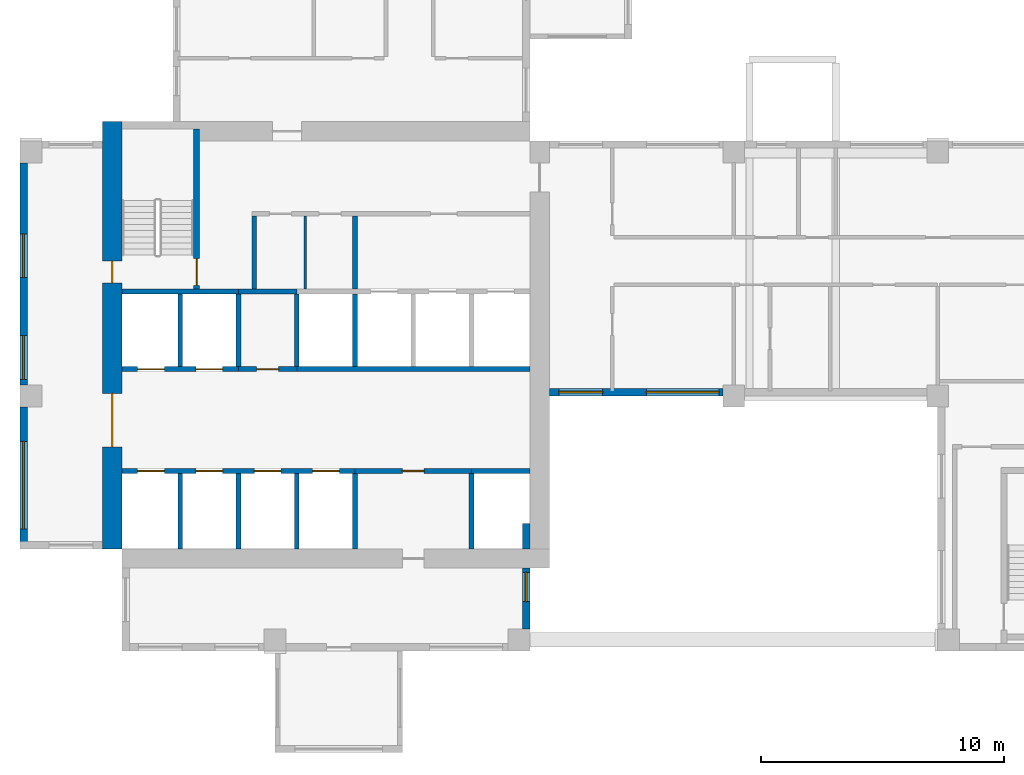
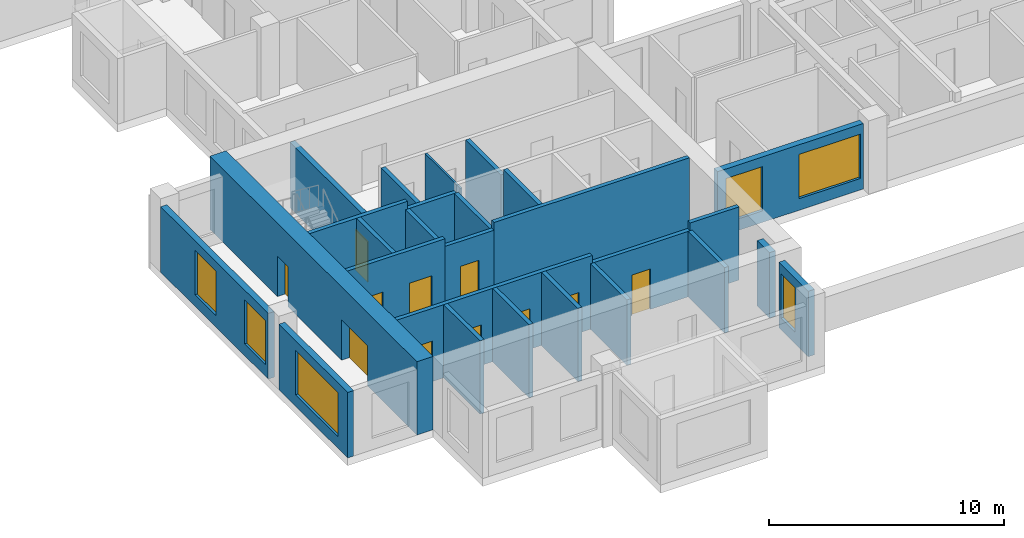
# One storey, part 2 of 11: 27 walls, 11 doors, 6 windows, 17 openings.
"""IFC4 building model written with IfcOpenShell, lengths in metres."""

from ifc_helpers import new_model, si_unit, direction, frame, frame_2d, origin, place, context, subcontext, project, spatial, rectangle, extrude, source, transform, mapped, material, layer, layer_set, type_object, element, fill, save


model = new_model("IFC4")

# Units and contexts
model_context = context("Model", 3, precision=1e-05, world=origin(), true_north=direction((0.0, 1.0)))
body_context = subcontext(model_context, "Body", "Model", "MODEL_VIEW")
ifc_project = project(units=[si_unit("LENGTHUNIT", "METRE"), si_unit("AREAUNIT", "SQUARE_METRE"), si_unit("VOLUMEUNIT", "CUBIC_METRE"), si_unit("PLANEANGLEUNIT", "RADIAN"), si_unit("MASSUNIT", "GRAM", prefix="KILO")], contexts=[model_context])

# Site, building, storey
site_placement = place(None, origin())
site = spatial("IfcSite", under=ifc_project, at=site_placement, CompositionType="ELEMENT")
building_placement = place(site_placement, origin())
building = spatial("IfcBuilding", under=site, at=building_placement, Name="Aurelian Terraces", CompositionType="ELEMENT")
storey_placement = place(building_placement, frame((0.0, 0.0, 212.0)))
storey = spatial("IfcBuildingStorey", under=building, at=storey_placement, Name="L47", CompositionType="ELEMENT", Elevation=212.0)

# Wall, openings, doors
ifc_material_1 = material(Name="Concrete fc' 70 MPa", Category="concrete")
ifc_layer_1 = layer(ifc_material_1, 0.8)
ifc_layer_set_1 = layer_set([ifc_layer_1], Name="CORE WALL 800 FC70")
wall_type_1 = type_object("IfcWallType", Name="CORE WALL 800 FC70", PredefinedType="SHEAR", material=ifc_layer_set_1)
shared_shape_1 = source(origin(), body_context, "Body", "SweptSolid", [
    extrude(rectangle(XDim=17.6, YDim=0.8, at=frame_2d((8.8, 0.0))), origin(), (0.0, 0.0, 1.0), 3.8),
])
wall_1_placement = place(storey_placement, frame((3.8, 4.2, 0.0), z_axis=(0.0, 0.0, 1.0), x_axis=(0.0, 1.0, 0.0)))
wall_1 = element("IfcWall", 1, at=wall_1_placement, inside=storey, type_object=wall_type_1, Name="Core wall W L47", PredefinedType="SHEAR", context=body_context, shape_type="MappedRepresentation", body=[
    mapped(shared_shape_1, transform((0.0, 0.0, 0.0), scale=1.0)),
])
shared_shape_2 = source(origin(), body_context, "Body", "SweptSolid", [
    extrude(rectangle(XDim=2.2, YDim=2.1, at=frame_2d((1.1, 1.05))), frame((0.0, 0.41, 0.0), z_axis=(0.0, -1.0, 0.0), x_axis=(1.0, 0.0, 0.0)), (0.0, 0.0, 1.0), 0.82),
])
opening_1_placement = place(wall_1_placement, frame((4.2, 0.0, 0.0)))
opening_1 = element("IfcOpeningElement", 2, at=opening_1_placement, cuts=wall_1, Name="Opening 65021", PredefinedType="OPENING", context=body_context, shape_type="MappedRepresentation", body=[
    mapped(shared_shape_2, transform((0.0, 0.0, 0.0), scale=1.0)),
])
shared_shape_3 = source(origin(), body_context, "Body", "SweptSolid", [
    extrude(rectangle(XDim=0.9, YDim=2.1, at=frame_2d((0.45, 1.05))), frame((0.0, 0.41, 0.0), z_axis=(0.0, -1.0, 0.0), x_axis=(1.0, 0.0, 0.0)), (0.0, 0.0, 1.0), 0.82),
])
opening_2_placement = place(wall_1_placement, frame((10.95, 0.0, 0.0)))
opening_2 = element("IfcOpeningElement", 3, at=opening_2_placement, cuts=wall_1, Name="Opening 65025", PredefinedType="OPENING", context=body_context, shape_type="MappedRepresentation", body=[
    mapped(shared_shape_3, transform((0.0, 0.0, 0.0), scale=1.0)),
])
ifc_material_2 = material(Name="Steel door leaf", Category="steel")
door_type_1 = type_object("IfcDoorType", Name="Core service door 900x2100", OperationType="SINGLE_SWING_LEFT", PredefinedType="DOOR", material=ifc_material_2)
shared_shape_4 = source(origin(), body_context, "Body", "SweptSolid", [
    extrude(rectangle(XDim=0.9, YDim=2.1, at=frame_2d((0.45, 1.05))), frame((0.0, 0.025, 0.0), z_axis=(0.0, -1.0, 0.0), x_axis=(1.0, 0.0, 0.0)), (0.0, 0.0, 1.0), 0.05),
])
door_1_placement = place(opening_2_placement, origin())
door_1 = element("IfcDoor", 4, at=door_1_placement, inside=storey, type_object=door_type_1, Name="Core door 65025", OperationType="SINGLE_SWING_LEFT", OverallHeight=2.1, OverallWidth=0.9, PredefinedType="DOOR", context=body_context, shape_type="MappedRepresentation", body=[
    mapped(shared_shape_4, transform((0.0, 0.0, 0.0), scale=1.0)),
])
fill(opening_2, door_1)
door_type_2 = type_object("IfcDoorType", Name="Core double door 2200x2100", OperationType="DOUBLE_DOOR_SINGLE_SWING", PredefinedType="DOOR", material=ifc_material_2)
shared_shape_5 = source(origin(), body_context, "Body", "SweptSolid", [
    extrude(rectangle(XDim=2.2, YDim=2.1, at=frame_2d((1.1, 1.05))), frame((0.0, 0.025, 0.0), z_axis=(0.0, -1.0, 0.0), x_axis=(1.0, 0.0, 0.0)), (0.0, 0.0, 1.0), 0.05),
])
door_2_placement = place(opening_1_placement, origin())
door_2 = element("IfcDoor", 5, at=door_2_placement, inside=storey, type_object=door_type_2, Name="Core door 65021", OperationType="DOUBLE_DOOR_SINGLE_SWING", OverallHeight=2.1, OverallWidth=2.2, PredefinedType="DOOR", context=body_context, shape_type="MappedRepresentation", body=[
    mapped(shared_shape_5, transform((0.0, 0.0, 0.0), scale=1.0)),
])
fill(opening_1, door_2)

# Wall, openings, windows
ifc_material_3 = material(Name="Terracotta rainscreen cladding", Category="masonry")
ifc_layer_2 = layer(ifc_material_3, 0.3)
ifc_layer_set_2 = layer_set([ifc_layer_2], Name="EW-300")
wall_type_2 = type_object("IfcWallType", Name="EW-300", PredefinedType="STANDARD", material=ifc_layer_set_2)
shared_shape_6 = source(origin(), body_context, "Body", "SweptSolid", [
    extrude(rectangle(XDim=7.15, YDim=0.3, at=frame_2d((3.575, 0.0))), origin(), (0.0, 0.0, 1.0), 3.4),
])
wall_2_placement = place(storey_placement, frame((21.8, 10.65, 0.0), z_axis=(0.0, 0.0, 1.0), x_axis=(1.0, 0.0, 0.0)))
wall_2 = element("IfcWall", 6, at=wall_2_placement, inside=storey, type_object=wall_type_2, Name="External wall L47 F03.5", PredefinedType="STANDARD", context=body_context, shape_type="MappedRepresentation", body=[
    mapped(shared_shape_6, transform((0.0, 0.0, 0.0), scale=1.0)),
])
shared_shape_7 = source(origin(), body_context, "Body", "SweptSolid", [
    extrude(rectangle(XDim=1.8, YDim=2.3, at=frame_2d((0.9, 1.15))), frame((0.0, 0.16, 0.0), z_axis=(0.0, -1.0, 0.0), x_axis=(1.0, 0.0, 0.0)), (0.0, 0.0, 1.0), 0.32),
])
opening_3_placement = place(wall_2_placement, frame((0.4, 0.0, 0.6)))
opening_3 = element("IfcOpeningElement", 7, at=opening_3_placement, cuts=wall_2, Name="Opening W1823", PredefinedType="OPENING", context=body_context, shape_type="MappedRepresentation", body=[
    mapped(shared_shape_7, transform((0.0, 0.0, 0.0), scale=1.0)),
])
shared_shape_8 = source(origin(), body_context, "Body", "SweptSolid", [
    extrude(rectangle(XDim=3.0, YDim=2.3, at=frame_2d((1.5, 1.15))), frame((0.0, 0.16, 0.0), z_axis=(0.0, -1.0, 0.0), x_axis=(1.0, 0.0, 0.0)), (0.0, 0.0, 1.0), 0.32),
])
opening_4_placement = place(wall_2_placement, frame((4.0, 0.0, 0.6)))
opening_4 = element("IfcOpeningElement", 8, at=opening_4_placement, cuts=wall_2, Name="Opening W3023", PredefinedType="OPENING", context=body_context, shape_type="MappedRepresentation", body=[
    mapped(shared_shape_8, transform((0.0, 0.0, 0.0), scale=1.0)),
])
ifc_material_4 = material(Name="Clear glazing", Category="glass")
window_type_1 = type_object("IfcWindowType", Name="W-3000x2300", PartitioningType="SINGLE_PANEL", PredefinedType="WINDOW", material=ifc_material_4)
shared_shape_9 = source(origin(), body_context, "Body", "SweptSolid", [
    extrude(rectangle(XDim=3.0, YDim=2.3, at=frame_2d((1.5, 1.15))), frame((0.0, 0.03, 0.0), z_axis=(0.0, -1.0, 0.0), x_axis=(1.0, 0.0, 0.0)), (0.0, 0.0, 1.0), 0.06),
])
window_1_placement = place(opening_4_placement, origin())
window_1 = element("IfcWindow", 9, at=window_1_placement, inside=storey, type_object=window_type_1, Name="Window L47 L47-F03-05-1", OverallHeight=2.3, OverallWidth=3.0, PartitioningType="SINGLE_PANEL", PredefinedType="WINDOW", context=body_context, shape_type="MappedRepresentation", body=[
    mapped(shared_shape_9, transform((0.0, 0.0, 0.0), scale=1.0)),
])
fill(opening_4, window_1)
window_type_2 = type_object("IfcWindowType", Name="W-1800x2300", PartitioningType="SINGLE_PANEL", PredefinedType="WINDOW", material=ifc_material_4)
shared_shape_10 = source(origin(), body_context, "Body", "SweptSolid", [
    extrude(rectangle(XDim=1.8, YDim=2.3, at=frame_2d((0.9, 1.15))), frame((0.0, 0.03, 0.0), z_axis=(0.0, -1.0, 0.0), x_axis=(1.0, 0.0, 0.0)), (0.0, 0.0, 1.0), 0.06),
])
window_2_placement = place(opening_3_placement, origin())
window_2 = element("IfcWindow", 10, at=window_2_placement, inside=storey, type_object=window_type_2, Name="Window L47 L47-F03-05-0", OverallHeight=2.3, OverallWidth=1.8, PartitioningType="SINGLE_PANEL", PredefinedType="WINDOW", context=body_context, shape_type="MappedRepresentation", body=[
    mapped(shared_shape_10, transform((0.0, 0.0, 0.0), scale=1.0)),
])
fill(opening_3, window_2)

# Wall, opening, window
shared_shape_11 = source(origin(), body_context, "Body", "SweptSolid", [
    extrude(rectangle(XDim=2.5, YDim=0.3, at=frame_2d((1.25, 0.0))), origin(), (0.0, 0.0, 1.0), 3.4),
])
wall_3_placement = place(storey_placement, frame((20.85, 0.9, 0.0), z_axis=(0.0, 0.0, 1.0), x_axis=(0.0, 1.0, 0.0)))
wall_3 = element("IfcWall", 11, at=wall_3_placement, inside=storey, type_object=wall_type_2, Name="External wall L47 F02.3", PredefinedType="STANDARD", context=body_context, shape_type="MappedRepresentation", body=[
    mapped(shared_shape_11, transform((0.0, 0.0, 0.0), scale=1.0)),
])
shared_shape_12 = source(origin(), body_context, "Body", "SweptSolid", [
    extrude(rectangle(XDim=1.2, YDim=2.3, at=frame_2d((0.6, 1.15))), frame((0.0, 0.16, 0.0), z_axis=(0.0, -1.0, 0.0), x_axis=(1.0, 0.0, 0.0)), (0.0, 0.0, 1.0), 0.32),
])
opening_5_placement = place(wall_3_placement, frame((1.125, 0.0, 0.6)))
opening_5 = element("IfcOpeningElement", 12, at=opening_5_placement, cuts=wall_3, Name="Opening W1223", PredefinedType="OPENING", context=body_context, shape_type="MappedRepresentation", body=[
    mapped(shared_shape_12, transform((0.0, 0.0, 0.0), scale=1.0)),
])
window_type_3 = type_object("IfcWindowType", Name="W-1200x2300", PartitioningType="SINGLE_PANEL", PredefinedType="WINDOW", material=ifc_material_4)
shared_shape_13 = source(origin(), body_context, "Body", "SweptSolid", [
    extrude(rectangle(XDim=1.2, YDim=2.3, at=frame_2d((0.6, 1.15))), frame((0.0, 0.03, 0.0), z_axis=(0.0, -1.0, 0.0), x_axis=(1.0, 0.0, 0.0)), (0.0, 0.0, 1.0), 0.06),
])
window_3_placement = place(opening_5_placement, origin())
window_3 = element("IfcWindow", 13, at=window_3_placement, inside=storey, type_object=window_type_3, Name="Window L47 L47-F02-03-0", OverallHeight=2.3, OverallWidth=1.2, PartitioningType="SINGLE_PANEL", PredefinedType="WINDOW", context=body_context, shape_type="MappedRepresentation", body=[
    mapped(shared_shape_13, transform((0.0, 0.0, 0.0), scale=1.0)),
])
fill(opening_5, window_3)

# Wall, openings, windows
shared_shape_14 = source(origin(), body_context, "Body", "SweptSolid", [
    extrude(rectangle(XDim=9.15, YDim=0.3, at=frame_2d((4.575, 0.0))), origin(), (0.0, 0.0, 1.0), 3.4),
])
wall_4_placement = place(storey_placement, frame((0.15, 20.1, 0.0), z_axis=(0.0, 0.0, 1.0), x_axis=(0.0, -1.0, 0.0)))
wall_4 = element("IfcWall", 14, at=wall_4_placement, inside=storey, type_object=wall_type_2, Name="External wall L47 F24.37", PredefinedType="STANDARD", context=body_context, shape_type="MappedRepresentation", body=[
    mapped(shared_shape_14, transform((0.0, 0.0, 0.0), scale=1.0)),
])
opening_6_placement = place(wall_4_placement, frame((2.925, 0.0, 0.6)))
opening_6 = element("IfcOpeningElement", 15, at=opening_6_placement, cuts=wall_4, Name="Opening W1823", PredefinedType="OPENING", context=body_context, shape_type="MappedRepresentation", body=[
    mapped(shared_shape_7, transform((0.0, 0.0, 0.0), scale=1.0)),
])
opening_7_placement = place(wall_4_placement, frame((7.125, 0.0, 0.6)))
opening_7 = element("IfcOpeningElement", 16, at=opening_7_placement, cuts=wall_4, Name="Opening W1823", PredefinedType="OPENING", context=body_context, shape_type="MappedRepresentation", body=[
    mapped(shared_shape_7, transform((0.0, 0.0, 0.0), scale=1.0)),
])
window_4_placement = place(opening_6_placement, origin())
window_4 = element("IfcWindow", 17, at=window_4_placement, inside=storey, type_object=window_type_2, Name="Window L47 L47-F24-37-1", OverallHeight=2.3, OverallWidth=1.8, PartitioningType="SINGLE_PANEL", PredefinedType="WINDOW", context=body_context, shape_type="MappedRepresentation", body=[
    mapped(shared_shape_10, transform((0.0, 0.0, 0.0), scale=1.0)),
])
fill(opening_6, window_4)
window_5_placement = place(opening_7_placement, origin())
window_5 = element("IfcWindow", 18, at=window_5_placement, inside=storey, type_object=window_type_2, Name="Window L47 L47-F24-37-2", OverallHeight=2.3, OverallWidth=1.8, PartitioningType="SINGLE_PANEL", PredefinedType="WINDOW", context=body_context, shape_type="MappedRepresentation", body=[
    mapped(shared_shape_10, transform((0.0, 0.0, 0.0), scale=1.0)),
])
fill(opening_7, window_5)

# Wall, opening, window
shared_shape_15 = source(origin(), body_context, "Body", "SweptSolid", [
    extrude(rectangle(XDim=5.85, YDim=0.3, at=frame_2d((2.925, 0.0))), origin(), (0.0, 0.0, 1.0), 3.4),
])
wall_5_placement = place(storey_placement, frame((0.15, 10.05, 0.0), z_axis=(0.0, 0.0, 1.0), x_axis=(0.0, -1.0, 0.0)))
wall_5 = element("IfcWall", 19, at=wall_5_placement, inside=storey, type_object=wall_type_2, Name="External wall L47 F24.37", PredefinedType="STANDARD", context=body_context, shape_type="MappedRepresentation", body=[
    mapped(shared_shape_15, transform((0.0, 0.0, 0.0), scale=1.0)),
])
shared_shape_16 = source(origin(), body_context, "Body", "SweptSolid", [
    extrude(rectangle(XDim=3.6, YDim=2.3, at=frame_2d((1.8, 1.15))), frame((0.0, 0.16, 0.0), z_axis=(0.0, -1.0, 0.0), x_axis=(1.0, 0.0, 0.0)), (0.0, 0.0, 1.0), 0.32),
])
opening_8_placement = place(wall_5_placement, frame((1.425, 0.0, 0.6)))
opening_8 = element("IfcOpeningElement", 20, at=opening_8_placement, cuts=wall_5, Name="Opening W3623", PredefinedType="OPENING", context=body_context, shape_type="MappedRepresentation", body=[
    mapped(shared_shape_16, transform((0.0, 0.0, 0.0), scale=1.0)),
])
window_type_4 = type_object("IfcWindowType", Name="W-3600x2300", PartitioningType="SINGLE_PANEL", PredefinedType="WINDOW", material=ifc_material_4)
shared_shape_17 = source(origin(), body_context, "Body", "SweptSolid", [
    extrude(rectangle(XDim=3.6, YDim=2.3, at=frame_2d((1.8, 1.15))), frame((0.0, 0.03, 0.0), z_axis=(0.0, -1.0, 0.0), x_axis=(1.0, 0.0, 0.0)), (0.0, 0.0, 1.0), 0.06),
])
window_6_placement = place(opening_8_placement, origin())
window_6 = element("IfcWindow", 21, at=window_6_placement, inside=storey, type_object=window_type_4, Name="Window L47 L47-F24-37-3", OverallHeight=2.3, OverallWidth=3.6, PartitioningType="SINGLE_PANEL", PredefinedType="WINDOW", context=body_context, shape_type="MappedRepresentation", body=[
    mapped(shared_shape_17, transform((0.0, 0.0, 0.0), scale=1.0)),
])
fill(opening_8, window_6)

# Walls
shared_shape_18 = source(origin(), body_context, "Body", "SweptSolid", [
    extrude(rectangle(XDim=1.05, YDim=0.3, at=frame_2d((0.525, 0.0))), origin(), (0.0, 0.0, 1.0), 3.4),
])
wall_6_placement = place(storey_placement, frame((20.85, 4.2, 0.0), z_axis=(0.0, 0.0, 1.0), x_axis=(0.0, 1.0, 0.0)))
element("IfcWall", 22, at=wall_6_placement, inside=storey, type_object=wall_type_2, Name="External wall L47 F02.3", PredefinedType="STANDARD", context=body_context, shape_type="MappedRepresentation", body=[
    mapped(shared_shape_18, transform((0.0, 0.0, 0.0), scale=1.0)),
])
ifc_material_5 = material(Name="Concrete fc' 40 MPa", Category="concrete")
ifc_layer_3 = layer(ifc_material_5, 0.2)
ifc_layer_set_3 = layer_set([ifc_layer_3], Name="Lift shaft wall 200")
wall_type_3 = type_object("IfcWallType", Name="Lift shaft wall 200", PredefinedType="SOLIDWALL", material=ifc_layer_set_3)
shared_shape_19 = source(origin(), body_context, "Body", "SweptSolid", [
    extrude(rectangle(XDim=3.1, YDim=0.2, at=frame_2d((1.55, 0.0))), origin(), (0.0, 0.0, 1.0), 3.8),
])
for number, where, z_axis, x_axis, name in (
    (23, (6.6, 4.2, 0.0), (0.0, 0.0, 1.0), (0.0, 1.0, 0.0), "L47 core wall CD-A1"),
    (24, (9.0, 4.2, 0.0), (0.0, 0.0, 1.0), (0.0, 1.0, 0.0), "L47 core wall CD-A2"),
    (25, (11.4, 4.2, 0.0), (0.0, 0.0, 1.0), (0.0, 1.0, 0.0), "L47 core wall CD-A3"),
):
    element("IfcWall", number, at=place(storey_placement, frame(where, z_axis=z_axis, x_axis=x_axis)), inside=storey, type_object=wall_type_3, Name=name, PredefinedType="SOLIDWALL", context=body_context, shape_type="MappedRepresentation", body=[
        mapped(shared_shape_19, transform((0.0, 0.0, 0.0), scale=1.0)),
    ])
shared_shape_20 = source(origin(), body_context, "Body", "SweptSolid", [
    extrude(rectangle(XDim=3.1, YDim=0.2, at=frame_2d((1.55, 0.0))), origin(), (0.0, 0.0, 1.0), 3.4),
])
for number, where, z_axis, x_axis, name in (
    (26, (13.8, 4.2, 0.0), (0.0, 0.0, 1.0), (0.0, 1.0, 0.0), "L47 core wall CD-A4"),
    (27, (18.6, 4.2, 0.0), (0.0, 0.0, 1.0), (0.0, 1.0, 0.0), "L47 core wall CD-A6"),
):
    element("IfcWall", number, at=place(storey_placement, frame(where, z_axis=z_axis, x_axis=x_axis)), inside=storey, type_object=wall_type_3, Name=name, PredefinedType="SOLIDWALL", context=body_context, shape_type="MappedRepresentation", body=[
        mapped(shared_shape_20, transform((0.0, 0.0, 0.0), scale=1.0)),
    ])
shared_shape_21 = source(origin(), body_context, "Body", "SweptSolid", [
    extrude(rectangle(XDim=3.0, YDim=0.2, at=frame_2d((1.5, 0.0))), origin(), (0.0, 0.0, 1.0), 3.4),
])
for number, where, z_axis, x_axis, name in (
    (28, (9.0, 11.7, 0.0), (0.0, 0.0, 1.0), (0.0, 1.0, 0.0), "L47 core wall CD-B2"),
    (29, (11.4, 11.7, 0.0), (0.0, 0.0, 1.0), (0.0, 1.0, 0.0), "L47 core wall CD-B3"),
):
    element("IfcWall", number, at=place(storey_placement, frame(where, z_axis=z_axis, x_axis=x_axis)), inside=storey, type_object=wall_type_3, Name=name, PredefinedType="SOLIDWALL", context=body_context, shape_type="MappedRepresentation", body=[
        mapped(shared_shape_21, transform((0.0, 0.0, 0.0), scale=1.0)),
    ])
shared_shape_22 = source(origin(), body_context, "Body", "SweptSolid", [
    extrude(rectangle(XDim=3.0, YDim=0.2, at=frame_2d((1.5, 0.0))), origin(), (0.0, 0.0, 1.0), 3.8),
])
for number, where, z_axis, x_axis, name in (
    (30, (6.6, 11.7, 0.0), (0.0, 0.0, 1.0), (0.0, 1.0, 0.0), "L47 core wall CD-B1"),
    (31, (13.8, 11.7, 0.0), (0.0, 0.0, 1.0), (0.0, 1.0, 0.0), "L47 core wall CD-B4"),
):
    element("IfcWall", number, at=place(storey_placement, frame(where, z_axis=z_axis, x_axis=x_axis)), inside=storey, type_object=wall_type_3, Name=name, PredefinedType="SOLIDWALL", context=body_context, shape_type="MappedRepresentation", body=[
        mapped(shared_shape_22, transform((0.0, 0.0, 0.0), scale=1.0)),
    ])

# Wall, openings, doors
shared_shape_23 = source(origin(), body_context, "Body", "SweptSolid", [
    extrude(rectangle(XDim=9.6, YDim=0.2, at=frame_2d((4.8, 0.0))), origin(), (0.0, 0.0, 1.0), 3.8),
])
wall_7_placement = place(storey_placement, frame((4.2, 7.4, 0.0), z_axis=(0.0, 0.0, 1.0), x_axis=(1.0, 0.0, 0.0)))
wall_7 = element("IfcWall", 32, at=wall_7_placement, inside=storey, type_object=wall_type_3, Name="L47 core wall CF-AF1", PredefinedType="SOLIDWALL", context=body_context, shape_type="MappedRepresentation", body=[
    mapped(shared_shape_23, transform((0.0, 0.0, 0.0), scale=1.0)),
])
shared_shape_24 = source(origin(), body_context, "Body", "SweptSolid", [
    extrude(rectangle(XDim=1.1, YDim=2.1, at=frame_2d((0.55, 1.05))), frame((0.0, 0.11, 0.0), z_axis=(0.0, -1.0, 0.0), x_axis=(1.0, 0.0, 0.0)), (0.0, 0.0, 1.0), 0.22),
])
opening_9_placement = place(wall_7_placement, frame((0.65, 0.0, 0.0)))
opening_9 = element("IfcOpeningElement", 33, at=opening_9_placement, cuts=wall_7, Name="Opening 65000", PredefinedType="OPENING", context=body_context, shape_type="MappedRepresentation", body=[
    mapped(shared_shape_24, transform((0.0, 0.0, 0.0), scale=1.0)),
])
opening_10_placement = place(wall_7_placement, frame((3.05, 0.0, 0.0)))
opening_10 = element("IfcOpeningElement", 34, at=opening_10_placement, cuts=wall_7, Name="Opening 65001", PredefinedType="OPENING", context=body_context, shape_type="MappedRepresentation", body=[
    mapped(shared_shape_24, transform((0.0, 0.0, 0.0), scale=1.0)),
])
opening_11_placement = place(wall_7_placement, frame((5.45, 0.0, 0.0)))
opening_11 = element("IfcOpeningElement", 35, at=opening_11_placement, cuts=wall_7, Name="Opening 65002", PredefinedType="OPENING", context=body_context, shape_type="MappedRepresentation", body=[
    mapped(shared_shape_24, transform((0.0, 0.0, 0.0), scale=1.0)),
])
opening_12_placement = place(wall_7_placement, frame((7.85, 0.0, 0.0)))
opening_12 = element("IfcOpeningElement", 36, at=opening_12_placement, cuts=wall_7, Name="Opening 65003", PredefinedType="OPENING", context=body_context, shape_type="MappedRepresentation", body=[
    mapped(shared_shape_24, transform((0.0, 0.0, 0.0), scale=1.0)),
])
ifc_material_6 = material(Name="Stainless steel", Category="steel")
door_type_3 = type_object("IfcDoorType", Name="Lift landing door 1100x2100", OperationType="SLIDING_TO_LEFT", PredefinedType="DOOR", material=ifc_material_6)
shared_shape_25 = source(origin(), body_context, "Body", "SweptSolid", [
    extrude(rectangle(XDim=1.1, YDim=2.1, at=frame_2d((0.55, 1.05))), frame((0.0, 0.025, 0.0), z_axis=(0.0, -1.0, 0.0), x_axis=(1.0, 0.0, 0.0)), (0.0, 0.0, 1.0), 0.05),
])
door_3_placement = place(opening_9_placement, origin())
door_3 = element("IfcDoor", 37, at=door_3_placement, inside=storey, type_object=door_type_3, Name="Lift landing door LM1 L47", OperationType="SLIDING_TO_LEFT", OverallHeight=2.1, OverallWidth=1.1, PredefinedType="DOOR", context=body_context, shape_type="MappedRepresentation", body=[
    mapped(shared_shape_25, transform((0.0, 0.0, 0.0), scale=1.0)),
])
fill(opening_9, door_3)
door_4_placement = place(opening_10_placement, origin())
door_4 = element("IfcDoor", 38, at=door_4_placement, inside=storey, type_object=door_type_3, Name="Lift landing door LM2 L47", OperationType="SLIDING_TO_LEFT", OverallHeight=2.1, OverallWidth=1.1, PredefinedType="DOOR", context=body_context, shape_type="MappedRepresentation", body=[
    mapped(shared_shape_25, transform((0.0, 0.0, 0.0), scale=1.0)),
])
fill(opening_10, door_4)
door_5_placement = place(opening_11_placement, origin())
door_5 = element("IfcDoor", 39, at=door_5_placement, inside=storey, type_object=door_type_3, Name="Lift landing door LM3 L47", OperationType="SLIDING_TO_LEFT", OverallHeight=2.1, OverallWidth=1.1, PredefinedType="DOOR", context=body_context, shape_type="MappedRepresentation", body=[
    mapped(shared_shape_25, transform((0.0, 0.0, 0.0), scale=1.0)),
])
fill(opening_11, door_5)
door_6_placement = place(opening_12_placement, origin())
door_6 = element("IfcDoor", 40, at=door_6_placement, inside=storey, type_object=door_type_3, Name="Lift landing door LM4 L47", OperationType="SLIDING_TO_LEFT", OverallHeight=2.1, OverallWidth=1.1, PredefinedType="DOOR", context=body_context, shape_type="MappedRepresentation", body=[
    mapped(shared_shape_25, transform((0.0, 0.0, 0.0), scale=1.0)),
])
fill(opening_12, door_6)

# Wall
wall_8_placement = place(storey_placement, frame((11.4, 11.6, 0.0), z_axis=(0.0, 0.0, 1.0), x_axis=(1.0, 0.0, 0.0)))
element("IfcWall", 41, at=wall_8_placement, inside=storey, type_object=wall_type_3, Name="L47 core wall CF-BF3", PredefinedType="SOLIDWALL", context=body_context, shape_type="MappedRepresentation", body=[
    mapped(shared_shape_23, transform((0.0, 0.0, 0.0), scale=1.0)),
])

# Wall, openings, doors
shared_shape_26 = source(origin(), body_context, "Body", "SweptSolid", [
    extrude(rectangle(XDim=4.8, YDim=0.2, at=frame_2d((2.4, 0.0))), origin(), (0.0, 0.0, 1.0), 3.8),
])
wall_9_placement = place(storey_placement, frame((4.2, 11.6, 0.0), z_axis=(0.0, 0.0, 1.0), x_axis=(1.0, 0.0, 0.0)))
wall_9 = element("IfcWall", 42, at=wall_9_placement, inside=storey, type_object=wall_type_3, Name="L47 core wall CF-BF1", PredefinedType="SOLIDWALL", context=body_context, shape_type="MappedRepresentation", body=[
    mapped(shared_shape_26, transform((0.0, 0.0, 0.0), scale=1.0)),
])
opening_13_placement = place(wall_9_placement, frame((0.65, 0.0, 0.0)))
opening_13 = element("IfcOpeningElement", 43, at=opening_13_placement, cuts=wall_9, Name="Opening 65005", PredefinedType="OPENING", context=body_context, shape_type="MappedRepresentation", body=[
    mapped(shared_shape_24, transform((0.0, 0.0, 0.0), scale=1.0)),
])
opening_14_placement = place(wall_9_placement, frame((3.05, 0.0, 0.0)))
opening_14 = element("IfcOpeningElement", 44, at=opening_14_placement, cuts=wall_9, Name="Opening 65006", PredefinedType="OPENING", context=body_context, shape_type="MappedRepresentation", body=[
    mapped(shared_shape_24, transform((0.0, 0.0, 0.0), scale=1.0)),
])
door_7_placement = place(opening_13_placement, origin())
door_7 = element("IfcDoor", 45, at=door_7_placement, inside=storey, type_object=door_type_3, Name="Lift landing door LM5 L47", OperationType="SLIDING_TO_LEFT", OverallHeight=2.1, OverallWidth=1.1, PredefinedType="DOOR", context=body_context, shape_type="MappedRepresentation", body=[
    mapped(shared_shape_25, transform((0.0, 0.0, 0.0), scale=1.0)),
])
fill(opening_13, door_7)
door_8_placement = place(opening_14_placement, origin())
door_8 = element("IfcDoor", 46, at=door_8_placement, inside=storey, type_object=door_type_3, Name="Lift landing door LM6 L47", OperationType="SLIDING_TO_LEFT", OverallHeight=2.1, OverallWidth=1.1, PredefinedType="DOOR", context=body_context, shape_type="MappedRepresentation", body=[
    mapped(shared_shape_25, transform((0.0, 0.0, 0.0), scale=1.0)),
])
fill(opening_14, door_8)

# Wall
wall_10_placement = place(storey_placement, frame((4.2, 14.8, 0.0), z_axis=(0.0, 0.0, 1.0), x_axis=(1.0, 0.0, 0.0)))
element("IfcWall", 47, at=wall_10_placement, inside=storey, type_object=wall_type_3, Name="L47 core wall CF-BB1", PredefinedType="SOLIDWALL", context=body_context, shape_type="MappedRepresentation", body=[
    mapped(shared_shape_26, transform((0.0, 0.0, 0.0), scale=1.0)),
])

# Wall, opening, door
shared_shape_27 = source(origin(), body_context, "Body", "SweptSolid", [
    extrude(rectangle(XDim=2.4, YDim=0.2, at=frame_2d((1.2, 0.0))), origin(), (0.0, 0.0, 1.0), 3.4),
])
wall_11_placement = place(storey_placement, frame((9.0, 11.6, 0.0), z_axis=(0.0, 0.0, 1.0), x_axis=(1.0, 0.0, 0.0)))
wall_11 = element("IfcWall", 48, at=wall_11_placement, inside=storey, type_object=wall_type_3, Name="L47 core wall CF-BF2", PredefinedType="SOLIDWALL", context=body_context, shape_type="MappedRepresentation", body=[
    mapped(shared_shape_27, transform((0.0, 0.0, 0.0), scale=1.0)),
])
shared_shape_28 = source(origin(), body_context, "Body", "SweptSolid", [
    extrude(rectangle(XDim=0.9, YDim=2.1, at=frame_2d((0.45, 1.05))), frame((0.0, 0.11, 0.0), z_axis=(0.0, -1.0, 0.0), x_axis=(1.0, 0.0, 0.0)), (0.0, 0.0, 1.0), 0.22),
])
opening_15_placement = place(wall_11_placement, frame((0.75, 0.0, 0.0)))
opening_15 = element("IfcOpeningElement", 49, at=opening_15_placement, cuts=wall_11, Name="Opening 65007", PredefinedType="OPENING", context=body_context, shape_type="MappedRepresentation", body=[
    mapped(shared_shape_28, transform((0.0, 0.0, 0.0), scale=1.0)),
])
door_type_4 = type_object("IfcDoorType", Name="Core service door 900x2100 right", OperationType="SINGLE_SWING_RIGHT", PredefinedType="DOOR", material=ifc_material_2)
door_9_placement = place(opening_15_placement, origin())
door_9 = element("IfcDoor", 50, at=door_9_placement, inside=storey, type_object=door_type_4, Name="Room door 65007", OperationType="SINGLE_SWING_RIGHT", OverallHeight=2.1, OverallWidth=0.9, PredefinedType="DOOR", context=body_context, shape_type="MappedRepresentation", body=[
    mapped(shared_shape_4, transform((0.0, 0.0, 0.0), scale=1.0)),
])
fill(opening_15, door_9)

# Walls
wall_12_placement = place(storey_placement, frame((9.0, 14.8, 0.0), z_axis=(0.0, 0.0, 1.0), x_axis=(1.0, 0.0, 0.0)))
element("IfcWall", 51, at=wall_12_placement, inside=storey, type_object=wall_type_3, Name="L47 core wall CF-BB2", PredefinedType="SOLIDWALL", context=body_context, shape_type="MappedRepresentation", body=[
    mapped(shared_shape_27, transform((0.0, 0.0, 0.0), scale=1.0)),
])
ifc_material_7 = material(Name="Gypsum board on steel studs", Category="steel")
ifc_layer_4 = layer(ifc_material_7, 0.2)
ifc_layer_set_4 = layer_set([ifc_layer_4], Name="Core partition 200")
wall_type_4 = type_object("IfcWallType", Name="Core partition 200", PredefinedType="PARTITIONING", material=ifc_layer_set_4)
shared_shape_29 = source(origin(), body_context, "Body", "SweptSolid", [
    extrude(rectangle(XDim=3.0, YDim=0.2, at=frame_2d((1.5, 0.0))), origin(), (0.0, 0.0, 1.0), 3.4),
])
for number, where, z_axis, x_axis, name in (
    (52, (9.65, 14.9, 0.0), (0.0, 0.0, 1.0), (0.0, 1.0, 0.0), "L47 core wall CP-VEST"),
    (53, (13.8, 14.9, 0.0), (0.0, 0.0, 1.0), (0.0, 1.0, 0.0), "L47 core wall CP-FFL"),
):
    element("IfcWall", number, at=place(storey_placement, frame(where, z_axis=z_axis, x_axis=x_axis)), inside=storey, type_object=wall_type_4, Name=name, PredefinedType="PARTITIONING", context=body_context, shape_type="MappedRepresentation", body=[
        mapped(shared_shape_29, transform((0.0, 0.0, 0.0), scale=1.0)),
    ])
ifc_layer_5 = layer(ifc_material_7, 0.1)
ifc_layer_set_5 = layer_set([ifc_layer_5], Name="Core partition 100")
wall_type_5 = type_object("IfcWallType", Name="Core partition 100", PredefinedType="PARTITIONING", material=ifc_layer_set_5)
shared_shape_30 = source(origin(), body_context, "Body", "SweptSolid", [
    extrude(rectangle(XDim=3.0, YDim=0.1, at=frame_2d((1.5, 0.0))), origin(), (0.0, 0.0, 1.0), 3.4),
])
wall_13_placement = place(storey_placement, frame((11.75, 14.9, 0.0), z_axis=(0.0, 0.0, 1.0), x_axis=(0.0, 1.0, 0.0)))
element("IfcWall", 54, at=wall_13_placement, inside=storey, type_object=wall_type_5, Name="L47 core wall CP-SV1", PredefinedType="PARTITIONING", context=body_context, shape_type="MappedRepresentation", body=[
    mapped(shared_shape_30, transform((0.0, 0.0, 0.0), scale=1.0)),
])

# Wall, opening, door
shared_shape_31 = source(origin(), body_context, "Body", "SweptSolid", [
    extrude(rectangle(XDim=4.8, YDim=0.2, at=frame_2d((2.4, 0.0))), origin(), (0.0, 0.0, 1.0), 3.4),
])
wall_14_placement = place(storey_placement, frame((13.8, 7.4, 0.0), z_axis=(0.0, 0.0, 1.0), x_axis=(1.0, 0.0, 0.0)))
wall_14 = element("IfcWall", 55, at=wall_14_placement, inside=storey, type_object=wall_type_3, Name="L47 core wall CF-AF2", PredefinedType="SOLIDWALL", context=body_context, shape_type="MappedRepresentation", body=[
    mapped(shared_shape_31, transform((0.0, 0.0, 0.0), scale=1.0)),
])
opening_16_placement = place(wall_14_placement, frame((1.95, 0.0, 0.0)))
opening_16 = element("IfcOpeningElement", 56, at=opening_16_placement, cuts=wall_14, Name="Opening 65004", PredefinedType="OPENING", context=body_context, shape_type="MappedRepresentation", body=[
    mapped(shared_shape_28, transform((0.0, 0.0, 0.0), scale=1.0)),
])
door_10_placement = place(opening_16_placement, origin())
door_10 = element("IfcDoor", 57, at=door_10_placement, inside=storey, type_object=door_type_1, Name="Room door 65004", OperationType="SINGLE_SWING_LEFT", OverallHeight=2.1, OverallWidth=0.9, PredefinedType="DOOR", context=body_context, shape_type="MappedRepresentation", body=[
    mapped(shared_shape_4, transform((0.0, 0.0, 0.0), scale=1.0)),
])
fill(opening_16, door_10)

# Wall
shared_shape_32 = source(origin(), body_context, "Body", "SweptSolid", [
    extrude(rectangle(XDim=2.4, YDim=0.2, at=frame_2d((1.2, 0.0))), origin(), (0.0, 0.0, 1.0), 3.8),
])
wall_15_placement = place(storey_placement, frame((18.6, 7.4, 0.0), z_axis=(0.0, 0.0, 1.0), x_axis=(1.0, 0.0, 0.0)))
element("IfcWall", 58, at=wall_15_placement, inside=storey, type_object=wall_type_3, Name="L47 core wall CF-AF3", PredefinedType="SOLIDWALL", context=body_context, shape_type="MappedRepresentation", body=[
    mapped(shared_shape_32, transform((0.0, 0.0, 0.0), scale=1.0)),
])

# Wall, opening, door
ifc_layer_6 = layer(ifc_material_5, 0.25)
ifc_layer_set_6 = layer_set([ifc_layer_6], Name="Stair enclosure wall 250")
wall_type_6 = type_object("IfcWallType", Name="Stair enclosure wall 250", PredefinedType="SOLIDWALL", material=ifc_layer_set_6)
shared_shape_33 = source(origin(), body_context, "Body", "SweptSolid", [
    extrude(rectangle(XDim=6.6, YDim=0.25, at=frame_2d((3.3, 0.0))), origin(), (0.0, 0.0, 1.0), 3.4),
])
wall_16_placement = place(storey_placement, frame((7.275, 14.9, 0.0), z_axis=(0.0, 0.0, 1.0), x_axis=(0.0, 1.0, 0.0)))
wall_16 = element("IfcWall", 59, at=wall_16_placement, inside=storey, type_object=wall_type_6, Name="L47 core wall ST-S1-E", PredefinedType="SOLIDWALL", context=body_context, shape_type="MappedRepresentation", body=[
    mapped(shared_shape_33, transform((0.0, 0.0, 0.0), scale=1.0)),
])
shared_shape_34 = source(origin(), body_context, "Body", "SweptSolid", [
    extrude(rectangle(XDim=1.1, YDim=2.1, at=frame_2d((0.55, 1.05))), frame((0.0, 0.135, 0.0), z_axis=(0.0, -1.0, 0.0), x_axis=(1.0, 0.0, 0.0)), (0.0, 0.0, 1.0), 0.27),
])
opening_17_placement = place(wall_16_placement, frame((0.15, 0.0, 0.0)))
opening_17 = element("IfcOpeningElement", 60, at=opening_17_placement, cuts=wall_16, Name="Opening 65011", PredefinedType="OPENING", context=body_context, shape_type="MappedRepresentation", body=[
    mapped(shared_shape_34, transform((0.0, 0.0, 0.0), scale=1.0)),
])
door_type_5 = type_object("IfcDoorType", Name="Core fire door 1100x2100 right", OperationType="SINGLE_SWING_RIGHT", PredefinedType="DOOR", material=ifc_material_2)
door_11_placement = place(opening_17_placement, origin())
door_11 = element("IfcDoor", 61, at=door_11_placement, inside=storey, type_object=door_type_5, Name="Stair door 65011", OperationType="SINGLE_SWING_RIGHT", OverallHeight=2.1, OverallWidth=1.1, PredefinedType="DOOR", context=body_context, shape_type="MappedRepresentation", body=[
    mapped(shared_shape_25, transform((0.0, 0.0, 0.0), scale=1.0)),
])
fill(opening_17, door_11)

save(model, "model.ifc")
